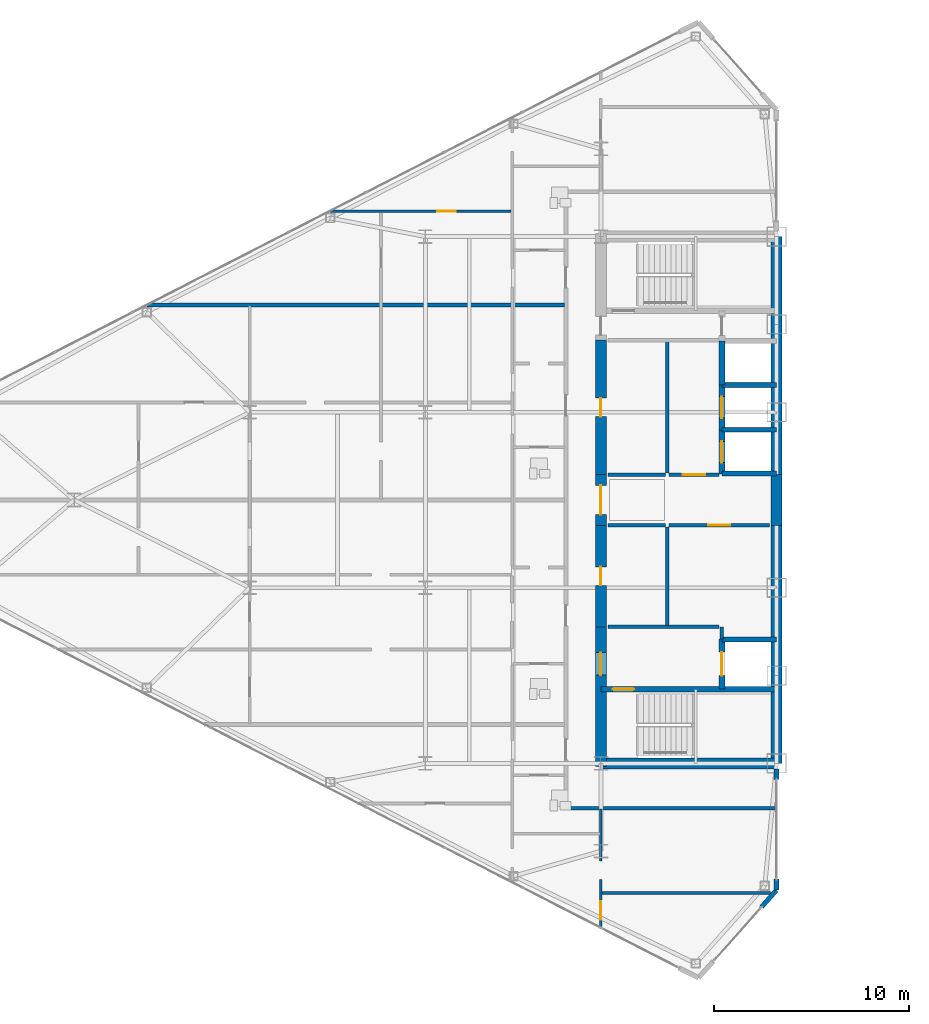
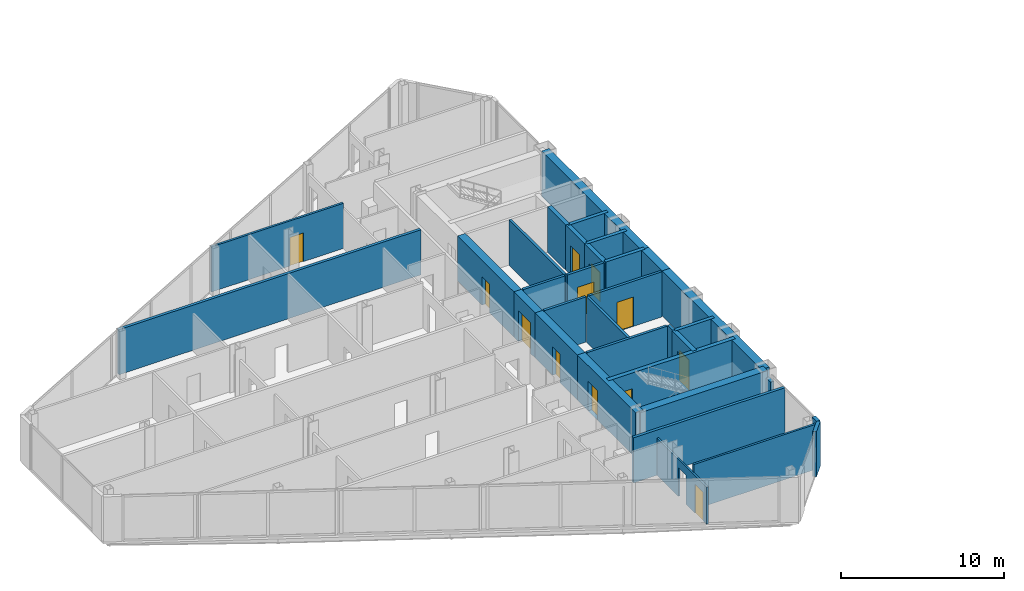
# One storey, part 16 of 23: 33 walls, 12 doors, 13 openings.
"""IFC4 building model written with IfcOpenShell, lengths in metres."""

from ifc_helpers import new_model, si_unit, direction, frame, frame_2d, origin, place, context, subcontext, project, spatial, rectangle, extrude, source, transform, mapped, material, layer, layer_set, type_object, type_shapes, element, fill, save


model = new_model("IFC4")

# Units and contexts
model_context = context("Model", 3, precision=1e-05, world=origin(), true_north=direction((0.0, 1.0)))
body_context = subcontext(model_context, "Body", "Model", "MODEL_VIEW")
ifc_project = project(units=[si_unit("LENGTHUNIT", "METRE"), si_unit("AREAUNIT", "SQUARE_METRE"), si_unit("VOLUMEUNIT", "CUBIC_METRE"), si_unit("PLANEANGLEUNIT", "RADIAN"), si_unit("MASSUNIT", "GRAM", prefix="KILO")], contexts=[model_context])

# Site, building, storey
site_placement = place(None, origin())
site = spatial("IfcSite", under=ifc_project, at=site_placement, CompositionType="ELEMENT")
building_placement = place(site_placement, origin())
building = spatial("IfcBuilding", under=site, at=building_placement, Name="Seokmaru Belvedere", CompositionType="ELEMENT")
storey_placement = place(building_placement, frame((0.0, 0.0, 144.0)))
storey = spatial("IfcBuildingStorey", under=building, at=storey_placement, Name="L38", CompositionType="ELEMENT", Elevation=144.0)

# Wall
ifc_material_1 = material(Name="Fire-Rated Gypsum Shaftwall")
ifc_layer_1 = layer(ifc_material_1, 0.14990234375)
ifc_layer_set_1 = layer_set([ifc_layer_1], Name="Fire-Rated Gypsum Shaftwall")
wall_type_1 = type_object("IfcWallType", Name="Apartment Fire-Acoustic Room Partition 150", PredefinedType="PARTITIONING", material=ifc_layer_set_1)
wall_1_placement = place(storey_placement, frame((-36.449951171875, -20.14990234375, 0.0), z_axis=(0.0, 0.0, 1.0), x_axis=(1.0, 0.0, 0.0)))
element("IfcWall", 1, at=wall_1_placement, inside=storey, type_object=wall_type_1, Name="L38 Interior Partition 001", PredefinedType="PARTITIONING", context=body_context, shape_type="SweptSolid", body=[
    extrude(rectangle(XDim=8.6494140625, YDim=0.14990234375, at=frame_2d((4.32470703125, 0.0))), origin(), (0.0, 0.0, 1.0), 3.3798828125),
])

# Wall, opening, door
wall_2_placement = place(storey_placement, frame((-50.43798828125, 14.800048828125, 0.0), z_axis=(0.0, 0.0, 1.0), x_axis=(1.0, 0.0, 0.0)))
wall_2 = element("IfcWall", 2, at=wall_2_placement, inside=storey, type_object=wall_type_1, Name="L38 Interior Partition 029", PredefinedType="PARTITIONING", context=body_context, shape_type="SweptSolid", body=[
    extrude(rectangle(XDim=9.337890625, YDim=0.14990234375, at=frame_2d((4.6689453125, 0.0))), origin(), (0.0, 0.0, 1.0), 3.3798828125),
])
opening_1_placement = place(wall_2_placement, frame((5.550537109375, 0.0, 0.0)))
opening_1 = element("IfcOpeningElement", 3, at=opening_1_placement, cuts=wall_2, Name="Opening D05", PredefinedType="OPENING", context=body_context, shape_type="SweptSolid", body=[
    extrude(rectangle(XDim=0.949951171875, YDim=2.14990234375, at=frame_2d((0.47509765625, 1.074951171875))), frame((0.0, 0.0849609375, 0.0), z_axis=(0.0, -1.0, 0.0), x_axis=(1.0, 0.0, 0.0)), (0.0, 0.0, 1.0), 0.169921875),
])
ifc_material_2 = material(Name="Engineered White Oak Timber", Category="wood")
door_type_1 = type_object("IfcDoorType", Name="Apartment Interior Fire-Rated Oak Door 950x2150", OperationType="NOTDEFINED", PredefinedType="DOOR", material=ifc_material_2)
shared_shape_1 = source(origin(), body_context, "Body", "SweptSolid", [
    extrude(rectangle(XDim=0.949951171875, YDim=2.14990234375, at=frame_2d((0.47509765625, 1.074951171875))), frame((0.0, 0.02490234375, 0.0), z_axis=(0.0, -1.0, 0.0), x_axis=(1.0, 0.0, 0.0)), (0.0, 0.0, 1.0), 0.050048828125),
])
type_shapes(door_type_1, [shared_shape_1])
door_1_placement = place(opening_1_placement, origin())
door_1 = element("IfcDoor", 4, at=door_1_placement, inside=storey, type_object=door_type_1, Name="L38 Interior Door 032", OperationType="SINGLE_SWING_LEFT", OverallHeight=2.14990234375, OverallWidth=0.949951171875, PredefinedType="DOOR", context=body_context, shape_type="MappedRepresentation", body=[
    mapped(shared_shape_1, transform((0.0, 0.0, 0.0), scale=1.0)),
])
fill(opening_1, door_1)

# Walls
ifc_layer_2 = layer(ifc_material_1, 0.179931640625)
ifc_layer_set_2 = layer_set([ifc_layer_2], Name="Fire-Rated Gypsum Shaftwall")
wall_type_2 = type_object("IfcWallType", Name="Core Service Fire Partition 180", PredefinedType="PARTITIONING", material=ifc_layer_set_2)
wall_3_placement = place(storey_placement, frame((-36.14990234375, -6.5, 0.0), z_axis=(0.0, 0.0, 1.0), x_axis=(1.0, 0.0, 0.0)))
element("IfcWall", 5, at=wall_3_placement, inside=storey, type_object=wall_type_2, Name="L38 West Firefighting Lobby Partition", PredefinedType="PARTITIONING", context=body_context, shape_type="SweptSolid", body=[
    extrude(rectangle(XDim=5.699951171875, YDim=0.179931640625, at=frame_2d((2.85009765625, 0.0))), origin(), (0.0, 0.0, 1.0), 3.3798828125),
])
wall_4_placement = place(storey_placement, frame((-30.300048828125, -7.1201171875, 0.0), z_axis=(0.0, 0.0, 1.0), x_axis=(0.0, 1.0, 0.0)))
element("IfcWall", 6, at=wall_4_placement, inside=storey, type_object=wall_type_2, Name="L38 West Firefighting Lobby East Closure Wall", PredefinedType="PARTITIONING", context=body_context, shape_type="SweptSolid", body=[
    extrude(rectangle(XDim=0.6201171875, YDim=0.179931640625, at=frame_2d((0.31005859375, 0.0))), origin(), (0.0, 0.0, 1.0), 3.3798828125),
])
wall_5_placement = place(storey_placement, frame((-33.10009765625, -6.419921875, 0.0), z_axis=(0.0, 0.0, 1.0), x_axis=(0.0, 1.0, 0.0)))
element("IfcWall", 7, at=wall_5_placement, inside=storey, type_object=wall_type_2, Name="L38 West South Core Service Back Wall", PredefinedType="PARTITIONING", context=body_context, shape_type="SweptSolid", body=[
    extrude(rectangle(XDim=5.0400390625, YDim=0.179931640625, at=frame_2d((2.52001953125, 0.0))), origin(), (0.0, 0.0, 1.0), 3.3798828125),
])
wall_6_placement = place(storey_placement, frame((-33.10009765625, 1.3798828125, 0.0), z_axis=(0.0, 0.0, 1.0), x_axis=(0.0, 1.0, 0.0)))
element("IfcWall", 8, at=wall_6_placement, inside=storey, type_object=wall_type_2, Name="L38 West North Core Service Back Wall", PredefinedType="PARTITIONING", context=body_context, shape_type="SweptSolid", body=[
    extrude(rectangle(XDim=6.740234375, YDim=0.179931640625, at=frame_2d((3.3701171875, 0.0))), origin(), (0.0, 0.0, 1.0), 3.3798828125),
])

# Wall, opening, door
wall_7_placement = place(storey_placement, frame((-33.02001953125, -1.300048828125, 0.0), z_axis=(0.0, 0.0, 1.0), x_axis=(1.0, 0.0, 0.0)))
wall_7 = element("IfcWall", 9, at=wall_7_placement, inside=storey, type_object=wall_type_2, Name="L38 West South Lift Lobby Foyer Wall", PredefinedType="PARTITIONING", context=body_context, shape_type="SweptSolid", body=[
    extrude(rectangle(XDim=5.169921875, YDim=0.179931640625, at=frame_2d((2.5849609375, 0.0))), origin(), (0.0, 0.0, 1.0), 3.3798828125),
])
opening_2_placement = place(wall_7_placement, frame((2.010009765625, 0.0, 0.0)))
opening_2 = element("IfcOpeningElement", 10, at=opening_2_placement, cuts=wall_7, Name="Opening D02", PredefinedType="OPENING", context=body_context, shape_type="SweptSolid", body=[
    extrude(rectangle(XDim=1.14990234375, YDim=2.199951171875, at=frame_2d((0.574951171875, 1.10009765625))), frame((0.0, 0.10009765625, 0.0), z_axis=(0.0, -1.0, 0.0), x_axis=(1.0, 0.0, 0.0)), (0.0, 0.0, 1.0), 0.199951171875),
])
ifc_material_3 = material(Name="Fire-Rated Steel Leaf", Category="steel")
door_type_2 = type_object("IfcDoorType", Name="Lobby and Vestibule Fire Door 1150x2200", OperationType="NOTDEFINED", PredefinedType="DOOR", material=ifc_material_3)
shared_shape_2 = source(origin(), body_context, "Body", "SweptSolid", [
    extrude(rectangle(XDim=1.14990234375, YDim=2.199951171875, at=frame_2d((0.574951171875, 1.10009765625))), frame((0.0, 0.02490234375, 0.0), z_axis=(0.0, -1.0, 0.0), x_axis=(1.0, 0.0, 0.0)), (0.0, 0.0, 1.0), 0.050048828125),
])
type_shapes(door_type_2, [shared_shape_2])
door_2_placement = place(opening_2_placement, origin())
door_2 = element("IfcDoor", 11, at=door_2_placement, inside=storey, type_object=door_type_2, Name="L38 West South Core Foyer Door", OperationType="SINGLE_SWING_LEFT", OverallHeight=2.199951171875, OverallWidth=1.14990234375, PredefinedType="DOOR", context=body_context, shape_type="MappedRepresentation", body=[
    mapped(shared_shape_2, transform((0.0, 0.0, 0.0), scale=1.0)),
])
fill(opening_2, door_2)

wall_8_placement = place(storey_placement, frame((-33.02001953125, 1.300048828125, 0.0), z_axis=(0.0, 0.0, 1.0), x_axis=(1.0, 0.0, 0.0)))
wall_8 = element("IfcWall", 12, at=wall_8_placement, inside=storey, type_object=wall_type_2, Name="L38 West North Lift Lobby Foyer Wall", PredefinedType="PARTITIONING", context=body_context, shape_type="SweptSolid", body=[
    extrude(rectangle(XDim=2.570068359375, YDim=0.179931640625, at=frame_2d((1.28515625, 0.0))), origin(), (0.0, 0.0, 1.0), 3.3798828125),
])
opening_3_placement = place(wall_8_placement, frame((0.7099609375, 0.0, 0.0)))
opening_3 = element("IfcOpeningElement", 13, at=opening_3_placement, cuts=wall_8, Name="Opening D02", PredefinedType="OPENING", context=body_context, shape_type="SweptSolid", body=[
    extrude(rectangle(XDim=1.14990234375, YDim=2.199951171875, at=frame_2d((0.574951171875, 1.10009765625))), frame((0.0, 0.10009765625, 0.0), z_axis=(0.0, -1.0, 0.0), x_axis=(1.0, 0.0, 0.0)), (0.0, 0.0, 1.0), 0.199951171875),
])
door_3_placement = place(opening_3_placement, origin())
door_3 = element("IfcDoor", 14, at=door_3_placement, inside=storey, type_object=door_type_2, Name="L38 West North Lift Lobby Door", OperationType="SINGLE_SWING_RIGHT", OverallHeight=2.199951171875, OverallWidth=1.14990234375, PredefinedType="DOOR", context=body_context, shape_type="MappedRepresentation", body=[
    mapped(shared_shape_2, transform((0.0, 0.0, 0.0), scale=1.0)),
])
fill(opening_3, door_3)

# Walls
for number, where, z_axis, x_axis, name in (
    (15, (-36.14990234375, -1.300048828125, 0.0), (0.0, 0.0, 1.0), (1.0, 0.0, 0.0), "L38 West Foyer Side Wall S"),
    (16, (-36.14990234375, 1.300048828125, 0.0), (0.0, 0.0, 1.0), (1.0, 0.0, 0.0), "L38 West Foyer Side Wall N"),
):
    element("IfcWall", number, at=place(storey_placement, frame(where, z_axis=z_axis, x_axis=x_axis)), inside=storey, type_object=wall_type_2, Name=name, PredefinedType="PARTITIONING", context=body_context, shape_type="SweptSolid", body=[
        extrude(rectangle(XDim=2.949951171875, YDim=0.179931640625, at=frame_2d((1.47509765625, 0.0))), origin(), (0.0, 0.0, 1.0), 3.3798828125),
    ])
ifc_material_4 = material(Name="Concrete C50 (50 MPa)", Category="concrete")
ifc_layer_3 = layer(ifc_material_4, 0.25)
ifc_layer_set_3 = layer_set([ifc_layer_3], Name="Concrete C50 (50 MPa)")
wall_type_3 = type_object("IfcWallType", Name="Hoistway Transverse Concrete Divider Wall 250", PredefinedType="SHEAR", material=ifc_layer_set_3)
for number, where, z_axis, x_axis, name in (
    (17, (-30.300048828125, -7.14990234375, 0.0), (0.0, 0.0, 1.0), (1.0, 0.0, 0.0), "L38 West Hoistway Divider Core Wall 1"),
    (18, (-30.300048828125, 1.35009765625, 0.0), (0.0, 0.0, 1.0), (1.0, 0.0, 0.0), "L38 West Hoistway Divider Core Wall 2"),
    (19, (-30.300048828125, 3.60009765625, 0.0), (0.0, 0.0, 1.0), (1.0, 0.0, 0.0), "L38 West Hoistway Divider Core Wall 3"),
    (20, (-30.300048828125, 5.89990234375, 0.0), (0.0, 0.0, 1.0), (1.0, 0.0, 0.0), "L38 West Hoistway Divider Core Wall 4"),
):
    element("IfcWall", number, at=place(storey_placement, frame(where, z_axis=z_axis, x_axis=x_axis)), inside=storey, type_object=wall_type_3, Name=name, PredefinedType="SHEAR", context=body_context, shape_type="SweptSolid", body=[
        extrude(rectangle(XDim=2.800048828125, YDim=0.25, at=frame_2d((1.39990234375, 0.0))), origin(), (0.0, 0.0, 1.0), 3.3798828125),
    ])
ifc_layer_4 = layer(ifc_material_1, 0.199951171875)
ifc_layer_set_4 = layer_set([ifc_layer_4], Name="Fire-Rated Gypsum Shaftwall")
wall_type_4 = type_object("IfcWallType", Name="Inter-Tenancy Fire Compartment Partition 200", PredefinedType="PARTITIONING", material=ifc_layer_set_4)
wall_9_placement = place(storey_placement, frame((-38.215087890625, -15.800048828125, 0.0), z_axis=(0.0, 0.0, 1.0), x_axis=(1.0, 0.0, 0.0)))
element("IfcWall", 21, at=wall_9_placement, inside=storey, type_object=wall_type_4, Name="L38 Interior Partition 003", PredefinedType="PARTITIONING", context=body_context, shape_type="SweptSolid", body=[
    extrude(rectangle(XDim=10.715087890625, YDim=0.199951171875, at=frame_2d((5.357421875, 0.0))), origin(), (0.0, 0.0, 1.0), 3.3798828125),
])
wall_10_placement = place(storey_placement, frame((-59.76708984375, 10.0, 0.0), z_axis=(0.0, 0.0, 1.0), x_axis=(1.0, 0.0, 0.0)))
element("IfcWall", 22, at=wall_10_placement, inside=storey, type_object=wall_type_4, Name="L38 Interior Partition 027", PredefinedType="PARTITIONING", context=body_context, shape_type="SweptSolid", body=[
    extrude(rectangle(XDim=21.38720703125, YDim=0.199951171875, at=frame_2d((10.693603515625, 0.0))), origin(), (0.0, 0.0, 1.0), 3.3798828125),
])

# Wall, opening, door
ifc_layer_5 = layer(ifc_material_4, 0.300048828125)
ifc_layer_set_5 = layer_set([ifc_layer_5], Name="Concrete C50 (50 MPa)")
wall_type_5 = type_object("IfcWallType", Name="Internal Core Stair and Hoistway Wall 300", PredefinedType="SHEAR", material=ifc_layer_set_5)
wall_11_placement = place(storey_placement, frame((-36.5, -9.699951171875, 0.0), z_axis=(0.0, 0.0, 1.0), x_axis=(1.0, 0.0, 0.0)))
wall_11 = element("IfcWall", 23, at=wall_11_placement, inside=storey, type_object=wall_type_5, Name="L38 West Stair ST-1 Enclosure Wall", PredefinedType="SHEAR", context=body_context, shape_type="SweptSolid", body=[
    extrude(rectangle(XDim=9.0, YDim=0.300048828125, at=frame_2d((4.5, 0.0))), origin(), (0.0, 0.0, 1.0), 3.3798828125),
])
opening_4_placement = place(wall_11_placement, frame((0.60009765625, 0.0, 0.0)))
opening_4 = element("IfcOpeningElement", 24, at=opening_4_placement, cuts=wall_11, Name="Opening D01", PredefinedType="OPENING", context=body_context, shape_type="SweptSolid", body=[
    extrude(rectangle(XDim=1.10009765625, YDim=2.199951171875, at=frame_2d((0.550048828125, 1.10009765625))), frame((0.0, 0.16015625, 0.0), z_axis=(0.0, -1.0, 0.0), x_axis=(1.0, 0.0, 0.0)), (0.0, 0.0, 1.0), 0.320068359375),
])
door_type_3 = type_object("IfcDoorType", Name="Special Escape Stair Smokeproof Fire Door 1100x2200", OperationType="NOTDEFINED", PredefinedType="DOOR", material=ifc_material_3)
shared_shape_3 = source(origin(), body_context, "Body", "SweptSolid", [
    extrude(rectangle(XDim=1.10009765625, YDim=2.199951171875, at=frame_2d((0.550048828125, 1.10009765625))), frame((0.0, 0.02490234375, 0.0), z_axis=(0.0, -1.0, 0.0), x_axis=(1.0, 0.0, 0.0)), (0.0, 0.0, 1.0), 0.050048828125),
])
type_shapes(door_type_3, [shared_shape_3])
door_4_placement = place(opening_4_placement, frame((1.10009765625, 0.0, 0.0), z_axis=(0.0, 0.0, 1.0), x_axis=(-1.0, 0.0, 0.0)))
door_4 = element("IfcDoor", 25, at=door_4_placement, inside=storey, type_object=door_type_3, Name="L38 West Special Escape Stair ST-1 Door", OperationType="SINGLE_SWING_LEFT", OverallHeight=2.199951171875, OverallWidth=1.10009765625, PredefinedType="DOOR", context=body_context, shape_type="MappedRepresentation", body=[
    mapped(shared_shape_3, transform((0.0, 0.0, 0.0), scale=1.0)),
])
fill(opening_4, door_4)

wall_12_placement = place(storey_placement, frame((-30.300048828125, -9.679931640625, 0.0), z_axis=(0.0, 0.0, 1.0), x_axis=(0.0, 1.0, 0.0)))
wall_12 = element("IfcWall", 26, at=wall_12_placement, inside=storey, type_object=wall_type_5, Name="L38 West Firefighting Lift Shaft Front Wall", PredefinedType="SHEAR", context=body_context, shape_type="SweptSolid", body=[
    extrude(rectangle(XDim=2.559814453125, YDim=0.300048828125, at=frame_2d((1.27978515625, 0.0))), origin(), (0.0, 0.0, 1.0), 3.3798828125),
])
opening_5_placement = place(wall_12_placement, frame((0.679931640625, 0.0, 0.0)))
opening_5 = element("IfcOpeningElement", 27, at=opening_5_placement, cuts=wall_12, Name="Opening LD2", PredefinedType="OPENING", context=body_context, shape_type="SweptSolid", body=[
    extrude(rectangle(XDim=1.199951171875, YDim=2.25, at=frame_2d((0.60009765625, 1.125))), frame((0.0, 0.16015625, 0.0), z_axis=(0.0, -1.0, 0.0), x_axis=(1.0, 0.0, 0.0)), (0.0, 0.0, 1.0), 0.320068359375),
])
ifc_material_5 = material(Name="Stainless Steel 316", Category="steel")
door_type_4 = type_object("IfcDoorType", Name="Firefighting Lift Sliding Landing Door 1200x2250", OperationType="DOUBLE_DOOR_SLIDING", PredefinedType="DOOR", material=ifc_material_5)
shared_shape_4 = source(origin(), body_context, "Body", "SweptSolid", [
    extrude(rectangle(XDim=1.199951171875, YDim=2.25, at=frame_2d((0.60009765625, 1.125))), frame((0.0, 0.02490234375, 0.0), z_axis=(0.0, -1.0, 0.0), x_axis=(1.0, 0.0, 0.0)), (0.0, 0.0, 1.0), 0.050048828125),
])
type_shapes(door_type_4, [shared_shape_4])
door_5_placement = place(opening_5_placement, origin())
door_5 = element("IfcDoor", 28, at=door_5_placement, inside=storey, type_object=door_type_4, Name="L38 West Firefighting Lift Landing Door", OperationType="DOUBLE_DOOR_SLIDING", OverallHeight=2.25, OverallWidth=1.199951171875, PredefinedType="DOOR", context=body_context, shape_type="MappedRepresentation", body=[
    mapped(shared_shape_4, transform((0.0, 0.0, 0.0), scale=1.0)),
])
fill(opening_5, door_5)

wall_13_placement = place(storey_placement, frame((-30.300048828125, 1.320068359375, 0.0), z_axis=(0.0, 0.0, 1.0), x_axis=(0.0, 1.0, 0.0)))
wall_13 = element("IfcWall", 29, at=wall_13_placement, inside=storey, type_object=wall_type_5, Name="L38 West North Hoistway Wall PH1", PredefinedType="SHEAR", context=body_context, shape_type="SweptSolid", body=[
    extrude(rectangle(XDim=2.280029296875, YDim=0.300048828125, at=frame_2d((1.14013671875, 0.0))), origin(), (0.0, 0.0, 1.0), 3.3798828125),
])
opening_6_placement = place(wall_13_placement, frame((0.590087890625, 0.0, 0.0)))
opening_6 = element("IfcOpeningElement", 30, at=opening_6_placement, cuts=wall_13, Name="Opening LD1", PredefinedType="OPENING", context=body_context, shape_type="SweptSolid", body=[
    extrude(rectangle(XDim=1.10009765625, YDim=2.199951171875, at=frame_2d((0.550048828125, 1.10009765625))), frame((0.0, 0.16015625, 0.0), z_axis=(0.0, -1.0, 0.0), x_axis=(1.0, 0.0, 0.0)), (0.0, 0.0, 1.0), 0.320068359375),
])
door_type_5 = type_object("IfcDoorType", Name="Passenger Lift Sliding Landing Door 1100x2200", OperationType="DOUBLE_DOOR_SLIDING", PredefinedType="DOOR", material=ifc_material_5)
shared_shape_5 = source(origin(), body_context, "Body", "SweptSolid", [
    extrude(rectangle(XDim=1.10009765625, YDim=2.199951171875, at=frame_2d((0.550048828125, 1.10009765625))), frame((0.0, 0.02490234375, 0.0), z_axis=(0.0, -1.0, 0.0), x_axis=(1.0, 0.0, 0.0)), (0.0, 0.0, 1.0), 0.050048828125),
])
type_shapes(door_type_5, [shared_shape_5])
door_6_placement = place(opening_6_placement, origin())
door_6 = element("IfcDoor", 31, at=door_6_placement, inside=storey, type_object=door_type_5, Name="L38 West High-Rise Lift PH-1 Landing Door", OperationType="DOUBLE_DOOR_SLIDING", OverallHeight=2.199951171875, OverallWidth=1.10009765625, PredefinedType="DOOR", context=body_context, shape_type="MappedRepresentation", body=[
    mapped(shared_shape_5, transform((0.0, 0.0, 0.0), scale=1.0)),
])
fill(opening_6, door_6)

wall_14_placement = place(storey_placement, frame((-30.300048828125, 3.60009765625, 0.0), z_axis=(0.0, 0.0, 1.0), x_axis=(0.0, 1.0, 0.0)))
wall_14 = element("IfcWall", 32, at=wall_14_placement, inside=storey, type_object=wall_type_5, Name="L38 West North Hoistway Wall PH2", PredefinedType="SHEAR", context=body_context, shape_type="SweptSolid", body=[
    extrude(rectangle(XDim=2.2998046875, YDim=0.300048828125, at=frame_2d((1.14990234375, 0.0))), origin(), (0.0, 0.0, 1.0), 3.3798828125),
])
opening_7_placement = place(wall_14_placement, frame((0.60009765625, 0.0, 0.0)))
opening_7 = element("IfcOpeningElement", 33, at=opening_7_placement, cuts=wall_14, Name="Opening LD1", PredefinedType="OPENING", context=body_context, shape_type="SweptSolid", body=[
    extrude(rectangle(XDim=1.10009765625, YDim=2.199951171875, at=frame_2d((0.550048828125, 1.10009765625))), frame((0.0, 0.16015625, 0.0), z_axis=(0.0, -1.0, 0.0), x_axis=(1.0, 0.0, 0.0)), (0.0, 0.0, 1.0), 0.320068359375),
])
door_7_placement = place(opening_7_placement, origin())
door_7 = element("IfcDoor", 34, at=door_7_placement, inside=storey, type_object=door_type_5, Name="L38 West High-Rise Lift PH-2 Landing Door", OperationType="DOUBLE_DOOR_SLIDING", OverallHeight=2.199951171875, OverallWidth=1.10009765625, PredefinedType="DOOR", context=body_context, shape_type="MappedRepresentation", body=[
    mapped(shared_shape_5, transform((0.0, 0.0, 0.0), scale=1.0)),
])
fill(opening_7, door_7)

# Walls
wall_15_placement = place(storey_placement, frame((-30.300048828125, 5.89990234375, 0.0), z_axis=(0.0, 0.0, 1.0), x_axis=(0.0, 1.0, 0.0)))
element("IfcWall", 35, at=wall_15_placement, inside=storey, type_object=wall_type_5, Name="L38 West North Hoistway Wall OBS", PredefinedType="SHEAR", context=body_context, shape_type="SweptSolid", body=[
    extrude(rectangle(XDim=2.25, YDim=0.300048828125, at=frame_2d((1.125, 0.0))), origin(), (0.0, 0.0, 1.0), 3.3798828125),
])
ifc_layer_6 = layer(ifc_material_4, 0.550048828125)
ifc_layer_set_6 = layer_set([ifc_layer_6], Name="Concrete C50 (50 MPa)")
wall_type_6 = type_object("IfcWallType", Name="Mid-High Reinforced Concrete Core Wall 550", PredefinedType="SHEAR", material=ifc_layer_set_6)
for number, where, z_axis, x_axis, name in (
    (36, (-27.5, -13.5, 0.0), (0.0, 0.0, 1.0), (0.0, 1.0, 0.0), "L38 West Portal Spine Core Wall South"),
    (37, (-27.5, 1.300048828125, 0.0), (0.0, 0.0, 1.0), (0.0, 1.0, 0.0), "L38 West Portal Spine Core Wall North"),
):
    element("IfcWall", number, at=place(storey_placement, frame(where, z_axis=z_axis, x_axis=x_axis)), inside=storey, type_object=wall_type_6, Name=name, PredefinedType="SHEAR", context=body_context, shape_type="SweptSolid", body=[
        extrude(rectangle(XDim=12.199951171875, YDim=0.550048828125, at=frame_2d((6.10009765625, 0.0))), origin(), (0.0, 0.0, 1.0), 3.3798828125),
    ])
wall_16_placement = place(storey_placement, frame((-27.5, -1.300048828125, 0.0), z_axis=(0.0, 0.0, 1.0), x_axis=(0.0, 1.0, 0.0)))
element("IfcWall", 38, at=wall_16_placement, inside=storey, type_object=wall_type_6, Name="L38 West Portal Spine Core Wall Center", PredefinedType="SHEAR", context=body_context, shape_type="SweptSolid", body=[
    extrude(rectangle(XDim=2.60009765625, YDim=0.550048828125, at=frame_2d((1.300048828125, 0.0))), origin(), (0.0, 0.0, 1.0), 3.3798828125),
])
wall_17_placement = place(storey_placement, frame((-36.5, -13.5, 0.0), z_axis=(0.0, 0.0, 1.0), x_axis=(1.0, 0.0, 0.0)))
element("IfcWall", 39, at=wall_17_placement, inside=storey, type_object=wall_type_6, Name="L38 West South Core Wall", PredefinedType="SHEAR", context=body_context, shape_type="SweptSolid", body=[
    extrude(rectangle(XDim=9.0, YDim=0.550048828125, at=frame_2d((4.5, 0.0))), origin(), (0.0, 0.0, 1.0), 3.3798828125),
])

# Wall, opening, door
wall_18_placement = place(storey_placement, frame((-36.5, -13.64990234375, 0.0), z_axis=(0.0, 0.0, 1.0), x_axis=(0.0, 1.0, 0.0)))
wall_18 = element("IfcWall", 40, at=wall_18_placement, inside=storey, type_object=wall_type_6, Name="L38 West West Core Wall FF", PredefinedType="SHEAR", context=body_context, shape_type="SweptSolid", body=[
    extrude(rectangle(XDim=7.14990234375, YDim=0.550048828125, at=frame_2d((3.574951171875, 0.0))), origin(), (0.0, 0.0, 1.0), 3.3798828125),
])
opening_8_placement = place(wall_18_placement, frame((4.675048828125, 0.0, 0.0)))
opening_8 = element("IfcOpeningElement", 41, at=opening_8_placement, cuts=wall_18, Name="Opening D02", PredefinedType="OPENING", context=body_context, shape_type="SweptSolid", body=[
    extrude(rectangle(XDim=1.14990234375, YDim=2.199951171875, at=frame_2d((0.574951171875, 1.10009765625))), frame((0.0, 0.28515625, 0.0), z_axis=(0.0, -1.0, 0.0), x_axis=(1.0, 0.0, 0.0)), (0.0, 0.0, 1.0), 0.570068359375),
])
door_8_placement = place(opening_8_placement, frame((1.14990234375, 0.0, 0.0), z_axis=(0.0, 0.0, 1.0), x_axis=(-1.0, 0.0, 0.0)))
door_8 = element("IfcDoor", 42, at=door_8_placement, inside=storey, type_object=door_type_2, Name="L38 West Firefighting Lobby Door", OperationType="SINGLE_SWING_LEFT", OverallHeight=2.199951171875, OverallWidth=1.14990234375, PredefinedType="DOOR", context=body_context, shape_type="MappedRepresentation", body=[
    mapped(shared_shape_2, transform((0.0, 0.0, 0.0), scale=1.0)),
])
fill(opening_8, door_8)

wall_19_placement = place(storey_placement, frame((-36.5, -1.300048828125, 0.0), z_axis=(0.0, 0.0, 1.0), x_axis=(0.0, 1.0, 0.0)))
wall_19 = element("IfcWall", 43, at=wall_19_placement, inside=storey, type_object=wall_type_6, Name="L38 West West Core Wall FOY", PredefinedType="SHEAR", context=body_context, shape_type="SweptSolid", body=[
    extrude(rectangle(XDim=2.60009765625, YDim=0.550048828125, at=frame_2d((1.300048828125, 0.0))), origin(), (0.0, 0.0, 1.0), 3.3798828125),
])
opening_9_placement = place(wall_19_placement, frame((0.550048828125, 0.0, 0.0)))
opening_9 = element("IfcOpeningElement", 44, at=opening_9_placement, cuts=wall_19, Name="Opening D08", PredefinedType="OPENING", context=body_context, shape_type="SweptSolid", body=[
    extrude(rectangle(XDim=1.5, YDim=2.300048828125, at=frame_2d((0.75, 1.14990234375))), frame((0.0, 0.28515625, 0.0), z_axis=(0.0, -1.0, 0.0), x_axis=(1.0, 0.0, 0.0)), (0.0, 0.0, 1.0), 0.570068359375),
])
door_type_6 = type_object("IfcDoorType", Name="Cross-Corridor Compartment Double Fire Door 1500x2300", OperationType="DOUBLE_SWING_LEFT", PredefinedType="DOOR", material=ifc_material_3)
shared_shape_6 = source(origin(), body_context, "Body", "SweptSolid", [
    extrude(rectangle(XDim=1.5, YDim=2.300048828125, at=frame_2d((0.75, 1.14990234375))), frame((0.0, 0.02490234375, 0.0), z_axis=(0.0, -1.0, 0.0), x_axis=(1.0, 0.0, 0.0)), (0.0, 0.0, 1.0), 0.050048828125),
])
type_shapes(door_type_6, [shared_shape_6])
door_9_placement = place(opening_9_placement, origin())
door_9 = element("IfcDoor", 45, at=door_9_placement, inside=storey, type_object=door_type_6, Name="L38 West Core Foyer Compartment Door", OperationType="DOUBLE_SWING_LEFT", OverallHeight=2.300048828125, OverallWidth=1.5, PredefinedType="DOOR", context=body_context, shape_type="MappedRepresentation", body=[
    mapped(shared_shape_6, transform((0.0, 0.0, 0.0), scale=1.0)),
])
fill(opening_9, door_9)

wall_20_placement = place(storey_placement, frame((-36.5, -6.5, 0.0), z_axis=(0.0, 0.0, 1.0), x_axis=(0.0, 1.0, 0.0)))
wall_20 = element("IfcWall", 46, at=wall_20_placement, inside=storey, type_object=wall_type_6, Name="L38 West West Core Wall CS1", PredefinedType="SHEAR", context=body_context, shape_type="SweptSolid", body=[
    extrude(rectangle(XDim=5.199951171875, YDim=0.550048828125, at=frame_2d((2.60009765625, 0.0))), origin(), (0.0, 0.0, 1.0), 3.3798828125),
])
opening_10_placement = place(wall_20_placement, frame((2.125, 0.0, 0.0)))
opening_10 = element("IfcOpeningElement", 47, at=opening_10_placement, cuts=wall_20, Name="Opening D04", PredefinedType="OPENING", context=body_context, shape_type="SweptSolid", body=[
    extrude(rectangle(XDim=0.949951171875, YDim=2.14990234375, at=frame_2d((0.47509765625, 1.074951171875))), frame((0.0, 0.28515625, 0.0), z_axis=(0.0, -1.0, 0.0), x_axis=(1.0, 0.0, 0.0)), (0.0, 0.0, 1.0), 0.570068359375),
])
door_type_7 = type_object("IfcDoorType", Name="Core Service Room Fire Door 950x2150", OperationType="NOTDEFINED", PredefinedType="DOOR", material=ifc_material_3)
shared_shape_7 = source(origin(), body_context, "Body", "SweptSolid", [
    extrude(rectangle(XDim=0.949951171875, YDim=2.14990234375, at=frame_2d((0.47509765625, 1.074951171875))), frame((0.0, 0.02490234375, 0.0), z_axis=(0.0, -1.0, 0.0), x_axis=(1.0, 0.0, 0.0)), (0.0, 0.0, 1.0), 0.050048828125),
])
type_shapes(door_type_7, [shared_shape_7])
door_10_placement = place(opening_10_placement, origin())
door_10 = element("IfcDoor", 48, at=door_10_placement, inside=storey, type_object=door_type_7, Name="L38 West Core Service Room Door 1", OperationType="SINGLE_SWING_LEFT", OverallHeight=2.14990234375, OverallWidth=0.949951171875, PredefinedType="DOOR", context=body_context, shape_type="MappedRepresentation", body=[
    mapped(shared_shape_7, transform((0.0, 0.0, 0.0), scale=1.0)),
])
fill(opening_10, door_10)

wall_21_placement = place(storey_placement, frame((-36.5, 1.300048828125, 0.0), z_axis=(0.0, 0.0, 1.0), x_axis=(0.0, 1.0, 0.0)))
wall_21 = element("IfcWall", 49, at=wall_21_placement, inside=storey, type_object=wall_type_6, Name="L38 West West Core Wall CS2", PredefinedType="SHEAR", context=body_context, shape_type="SweptSolid", body=[
    extrude(rectangle(XDim=6.89990234375, YDim=0.550048828125, at=frame_2d((3.449951171875, 0.0))), origin(), (0.0, 0.0, 1.0), 3.3798828125),
])
opening_11_placement = place(wall_21_placement, frame((2.97509765625, 0.0, 0.0)))
opening_11 = element("IfcOpeningElement", 50, at=opening_11_placement, cuts=wall_21, Name="Opening D04", PredefinedType="OPENING", context=body_context, shape_type="SweptSolid", body=[
    extrude(rectangle(XDim=0.949951171875, YDim=2.14990234375, at=frame_2d((0.47509765625, 1.074951171875))), frame((0.0, 0.28515625, 0.0), z_axis=(0.0, -1.0, 0.0), x_axis=(1.0, 0.0, 0.0)), (0.0, 0.0, 1.0), 0.570068359375),
])
door_11_placement = place(opening_11_placement, origin())
door_11 = element("IfcDoor", 51, at=door_11_placement, inside=storey, type_object=door_type_7, Name="L38 West Core Service Room Door 2", OperationType="SINGLE_SWING_RIGHT", OverallHeight=2.14990234375, OverallWidth=0.949951171875, PredefinedType="DOOR", context=body_context, shape_type="MappedRepresentation", body=[
    mapped(shared_shape_7, transform((0.0, 0.0, 0.0), scale=1.0)),
])
fill(opening_11, door_11)

# Wall, openings, door
ifc_layer_7 = layer(ifc_material_1, 0.1298828125)
ifc_layer_set_7 = layer_set([ifc_layer_7], Name="Fire-Rated Gypsum Shaftwall")
wall_type_7 = type_object("IfcWallType", Name="Moisture-Resistant Fire-Rated Bathroom Partition 130", PredefinedType="PARTITIONING", material=ifc_layer_set_7)
wall_22_placement = place(storey_placement, frame((-36.5, -21.968994140625, 0.0), z_axis=(0.0, 0.0, 1.0), x_axis=(0.0, 1.0, 0.0)))
wall_22 = element("IfcWall", 52, at=wall_22_placement, inside=storey, type_object=wall_type_7, Name="L38 Interior Partition 041", PredefinedType="PARTITIONING", context=body_context, shape_type="SweptSolid", body=[
    extrude(rectangle(XDim=6.118896484375, YDim=0.1298828125, at=frame_2d((3.0595703125, 0.0))), origin(), (0.0, 0.0, 1.0), 2.780029296875),
])
opening_12_placement = place(wall_22_placement, frame((0.451904296875, 0.0, 0.0)))
opening_12 = element("IfcOpeningElement", 53, at=opening_12_placement, cuts=wall_22, Name="Opening D05", PredefinedType="OPENING", context=body_context, shape_type="SweptSolid", body=[
    extrude(rectangle(XDim=0.949951171875, YDim=2.14990234375, at=frame_2d((0.47509765625, 1.074951171875))), frame((0.0, 0.074951171875, 0.0), z_axis=(0.0, -1.0, 0.0), x_axis=(1.0, 0.0, 0.0)), (0.0, 0.0, 1.0), 0.14990234375),
])
opening_13_placement = place(wall_22_placement, frame((2.5126953125, 0.0, 0.0)))
element("IfcOpeningElement", 54, at=opening_13_placement, cuts=wall_22, Name="L38 Cased Opening 007", PredefinedType="OPENING", context=body_context, shape_type="SweptSolid", body=[
    extrude(rectangle(XDim=0.949951171875, YDim=2.14990234375, at=frame_2d((0.47509765625, 1.074951171875))), frame((0.0, 0.074951171875, 0.0), z_axis=(0.0, -1.0, 0.0), x_axis=(1.0, 0.0, 0.0)), (0.0, 0.0, 1.0), 0.14990234375),
])
door_12_placement = place(opening_12_placement, origin())
door_12 = element("IfcDoor", 55, at=door_12_placement, inside=storey, type_object=door_type_1, Name="L38 Interior Door 006", OperationType="SINGLE_SWING_RIGHT", OverallHeight=2.14990234375, OverallWidth=0.949951171875, PredefinedType="DOOR", context=body_context, shape_type="MappedRepresentation", body=[
    mapped(shared_shape_1, transform((0.0, 0.0, 0.0), scale=1.0)),
])
fill(opening_12, door_12)

# Walls
ifc_material_6 = material(Name="Anodised Bronze Aluminium", Category="aluminium")
ifc_layer_8 = layer(ifc_material_6, 0.239990234375)
ifc_layer_set_8 = layer_set([ifc_layer_8], Name="Anodised Bronze Aluminium")
wall_type_8 = type_object("IfcWallType", Name="Tower Corner Spandrel Closure Wall 240", PredefinedType="SOLIDWALL", material=ifc_layer_set_8)
wall_23_placement = place(storey_placement, frame((-27.5, -19.97998046875, 0.0), z_axis=(0.0, 0.0, 1.0), x_axis=(0.0, 1.0, 0.0)))
element("IfcWall", 56, at=wall_23_placement, inside=storey, type_object=wall_type_8, Name="L38 W Spine Closure Pier 1A", PredefinedType="SOLIDWALL", context=body_context, shape_type="SweptSolid", body=[
    extrude(rectangle(XDim=0.550048828125, YDim=0.239990234375, at=frame_2d((0.27490234375, 0.0))), origin(), (0.0, 0.0, 1.0), 3.3798828125),
])
wall_24_placement = place(storey_placement, frame((-27.5, -14.330078125, 0.0), z_axis=(0.0, 0.0, 1.0), x_axis=(0.0, 1.0, 0.0)))
element("IfcWall", 57, at=wall_24_placement, inside=storey, type_object=wall_type_8, Name="L38 W Spine Closure Pier 1B", PredefinedType="SOLIDWALL", context=body_context, shape_type="SweptSolid", body=[
    extrude(rectangle(XDim=0.550048828125, YDim=0.239990234375, at=frame_2d((0.27490234375, 0.0))), origin(), (0.0, 0.0, 1.0), 2.8798828125),
])
wall_25_placement = place(storey_placement, frame((-28.263916015625, -20.859619140625, 0.0), z_axis=(0.0, 0.0, 1.0), x_axis=(0.664337252513, 0.747432950119, 0.0)))
element("IfcWall", 58, at=wall_25_placement, inside=storey, type_object=wall_type_8, Name="L38 W Corner Closure Pier 6B", PredefinedType="SOLIDWALL", context=body_context, shape_type="SweptSolid", body=[
    extrude(rectangle(XDim=1.139892578125, YDim=0.239990234375, at=frame_2d((0.56982421875, 0.0))), origin(), (0.0, 0.0, 1.0), 3.3798828125),
])

save(model, "model.ifc")
